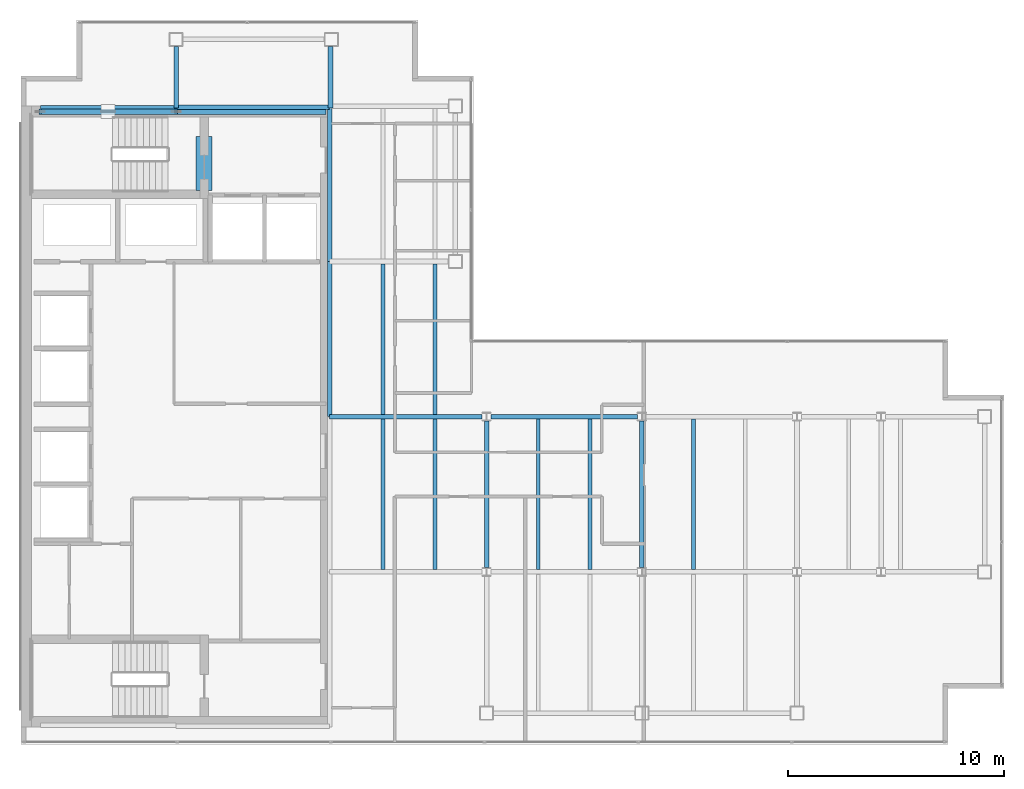
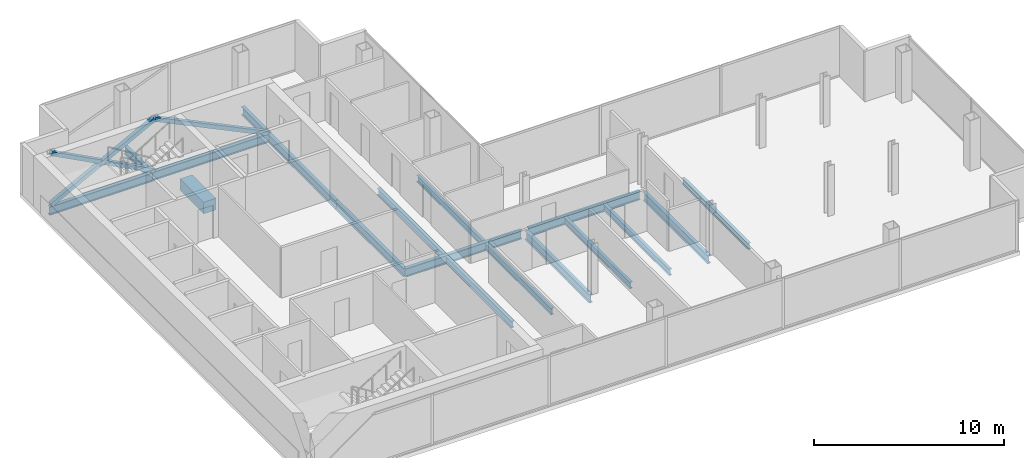
# One storey, part 7 of 23: 18 beams, 4 members.
"""IFC4 building model written with IfcOpenShell, lengths in metres."""

import ifcopenshell
import ifcopenshell.guid

model = None  # the IFC model being written
_history = None  # IfcOwnerHistory: only IFC2X3 demands one
_inside = {}  # id of a spatial element -> (the spatial element, [elements in it])
_under = {}  # id of a project, library or spatial element -> (it, [spatial elements below it])
_declared = {}  # id of a project -> (the project, [libraries it declares])
_typed = {}  # id of a type object -> (the type object, [elements of that type])
_made_of = {}  # id of a material, layer set ... -> (it, [elements and type objects made of it])


def new_model(schema):
    """Start an empty IFC model of exactly this schema.

    Asked for "IFC4X3", IfcOpenShell would pick the latest addendum, in which some entities
    have other attributes; the version numbers below select the first issue.
    IFC2X3 requires an IfcOwnerHistory on every rooted entity: one is made here for all.
    """
    global model, _history
    if schema == "IFC4X3":
        model = ifcopenshell.file(schema_version=(4, 3, 0, 0))
    else:
        model = ifcopenshell.file(schema=schema)
    _inside.clear()
    _under.clear()
    _declared.clear()
    _typed.clear()
    _made_of.clear()
    _history = None
    if model.schema == "IFC2X3":
        org = make("IfcOrganization", Name="unknown")
        user = make(
            "IfcPersonAndOrganization",
            ThePerson=make("IfcPerson", FamilyName="unknown"),
            TheOrganization=org,
        )
        app = make(
            "IfcApplication",
            ApplicationDeveloper=org,
            Version="unknown",
            ApplicationFullName="unknown",
            ApplicationIdentifier="unknown",
        )
        _history = make(
            "IfcOwnerHistory",
            OwningUser=user,
            OwningApplication=app,
            ChangeAction="ADDED",
            CreationDate=0,
        )
    return model


def make(cls, **values):
    """One entity of the class cls with the attributes given. An attribute that is None is left unset."""
    return model.create_entity(
        cls, **{name: value for name, value in values.items() if value is not None}
    )


def rooted(cls, **values):
    """An entity with a GlobalId (a new one), such as an element, a storey or a relation."""
    return make(cls, GlobalId=ifcopenshell.guid.new(), OwnerHistory=_history, **values)


def si_unit(unit_type, name, prefix=None):
    """IfcSIUnit, for example si_unit("LENGTHUNIT", "METRE", prefix="MILLI")."""
    return make("IfcSIUnit", UnitType=unit_type, Prefix=prefix, Name=name)


def assignment(units):
    """IfcUnitAssignment: the units of a project."""
    return None if units is None else make("IfcUnitAssignment", Units=units)


def point(xyz):
    """IfcCartesianPoint."""
    return None if xyz is None else make("IfcCartesianPoint", Coordinates=xyz)


def direction(xyz):
    """IfcDirection."""
    return None if xyz is None else make("IfcDirection", DirectionRatios=xyz)


def frame(location, z_axis=None, x_axis=None):
    """IfcAxis2Placement3D, a coordinate frame: its origin and axes. An axis left out is left unset."""
    return make(
        "IfcAxis2Placement3D",
        Location=point(location),
        Axis=direction(z_axis),
        RefDirection=direction(x_axis),
    )


def frame_2d(location, x_axis=None):
    """IfcAxis2Placement2D, a coordinate frame in the plane: its origin and x axis."""
    return make(
        "IfcAxis2Placement2D", Location=point(location), RefDirection=direction(x_axis)
    )


def origin():
    """The frame at (0, 0, 0) with its axes left unset."""
    return frame((0.0, 0.0, 0.0))


def origin_2d():
    """The frame at (0, 0) in the plane with its x axis left unset."""
    return frame_2d((0.0, 0.0))


def place(relative_to, where):
    """IfcLocalPlacement: puts the frame where relative to a parent placement (None: the world)."""
    return make(
        "IfcLocalPlacement", PlacementRelTo=relative_to, RelativePlacement=where
    )


def context(
    kind, dimensions, precision=None, world=None, true_north=None, identifier=None
):
    """IfcGeometricRepresentationContext, for example the 3D "Model" context."""
    return make(
        "IfcGeometricRepresentationContext",
        ContextIdentifier=identifier,
        ContextType=kind,
        CoordinateSpaceDimension=dimensions,
        Precision=precision,
        WorldCoordinateSystem=world,
        TrueNorth=true_north,
    )


def subcontext(parent, identifier, kind, view, scale=None):
    """IfcGeometricRepresentationSubContext, for example "Body" below "Model"."""
    return make(
        "IfcGeometricRepresentationSubContext",
        ContextIdentifier=identifier,
        ContextType=kind,
        ParentContext=parent,
        TargetScale=scale,
        TargetView=view,
    )


def project(units=None, contexts=None):
    """IfcProject with its units and contexts."""
    return rooted(
        "IfcProject",
        Name="project",
        RepresentationContexts=contexts,
        UnitsInContext=assignment(units),
    )


def spatial(cls, under=None, at=None, **own):
    """A site, building, storey or space (cls), placed at a placement, below another one or the project."""
    s = rooted(cls, ObjectPlacement=at, **own)
    if under is not None:
        _under.setdefault(under.id(), (under, []))[1].append(s)
    return s


def profile(cls, at=None, kind="AREA", **sizes):
    """A parametric profile (cls). Its sizes go by their IFC names, for example OverallWidth=200.0."""
    return make(cls, ProfileType=kind, Position=at, **sizes)


def rectangle(**sizes):
    """IfcRectangleProfileDef."""
    return profile("IfcRectangleProfileDef", **sizes)


def hollow_rectangle(**sizes):
    """IfcRectangleHollowProfileDef."""
    return profile("IfcRectangleHollowProfileDef", **sizes)


def i_section(**sizes):
    """IfcIShapeProfileDef."""
    return profile("IfcIShapeProfileDef", **sizes)


def extrude(swept, where, along, depth):
    """IfcExtrudedAreaSolid: the profile swept, set in the frame where, extruded along a direction by depth."""
    return make(
        "IfcExtrudedAreaSolid",
        SweptArea=swept,
        Position=where,
        ExtrudedDirection=direction(along),
        Depth=depth,
    )


def shape(context_of_items, identifier, shape_type, items):
    """IfcShapeRepresentation: the items that make up one representation, for example the "Body"."""
    return make(
        "IfcShapeRepresentation",
        ContextOfItems=context_of_items,
        RepresentationIdentifier=identifier,
        RepresentationType=shape_type,
        Items=items,
    )


def material(Name=None, Category=None):
    """IfcMaterial."""
    return make("IfcMaterial", Name=Name, Category=Category)


def material_profile(
    of_material, cross_section, Name=None, Category=None, Priority=None
):
    """IfcMaterialProfile: a cross section and its material."""
    return make(
        "IfcMaterialProfile",
        Name=Name,
        Material=of_material,
        Profile=cross_section,
        Priority=Priority,
        Category=Category,
    )


def profile_set(profiles, Name=None, composite=None):
    """IfcMaterialProfileSet."""
    return make(
        "IfcMaterialProfileSet",
        Name=Name,
        MaterialProfiles=profiles,
        CompositeProfile=composite,
    )


def made_of(thing, what):
    """Note that an element or type object is made of a material, layer set ...; save() writes the relation."""
    if what is not None:
        _made_of.setdefault(what.id(), (what, []))[1].append(thing)
    return thing


def type_object(cls, material=None, **own):
    """A type object (cls), such as IfcWallType, which elements share."""
    return made_of(rooted(cls, **own), material)


def element(
    cls,
    number,
    at=None,
    inside=None,
    cuts=None,
    type_object=None,
    material=None,
    context=None,
    identifier="Body",
    shape_type=None,
    held_by="IfcProductDefinitionShape",
    body=None,
    shapes=None,
    **own,
):
    """One element of the class cls, such as IfcWall. Its Tag is "e" and its number.

    at: its placement. inside: the storey or other place that contains it. cuts: it is an
    opening in that element (IfcRelVoidsElement). A single representation is given by context,
    identifier, shape_type and body (its items); several are given by shapes. held_by: the class
    of the entity that holds the representations. save() writes the other relations.
    """
    e = rooted(cls, Tag="e%d" % number, ObjectPlacement=at, **own)
    if body is not None:
        shapes = [shape(context, identifier, shape_type, body)]
    if shapes is not None:
        e.Representation = make(held_by, Representations=shapes)
    if inside is not None:
        _inside.setdefault(inside.id(), (inside, []))[1].append(e)
    if cuts is not None:
        rooted(
            "IfcRelVoidsElement", RelatingBuildingElement=cuts, RelatedOpeningElement=e
        )
    if type_object is not None:
        _typed.setdefault(type_object.id(), (type_object, []))[1].append(e)
    return made_of(e, material)


def aggregate(whole, parts):
    """IfcRelAggregates: a whole, such as a stair, and the parts it consists of."""
    return rooted("IfcRelAggregates", RelatingObject=whole, RelatedObjects=parts)


def save(model, path):
    """Write the relations noted so far, then the file.

    IfcRelAggregates (storeys below a building ...), IfcRelContainedInSpatialStructure (elements
    in a storey), IfcRelDefinesByType, IfcRelAssociatesMaterial and IfcRelDeclares: one each for
    every whole, place, type object, material and project.
    """
    for whole, parts in _under.values():
        aggregate(whole, parts)
    for where, things in _inside.values():
        rooted(
            "IfcRelContainedInSpatialStructure",
            RelatedElements=things,
            RelatingStructure=where,
        )
    for kind, things in _typed.values():
        rooted("IfcRelDefinesByType", RelatedObjects=things, RelatingType=kind)
    for what, things in _made_of.values():
        rooted("IfcRelAssociatesMaterial", RelatedObjects=things, RelatingMaterial=what)
    for by, libraries in _declared.values():
        rooted("IfcRelDeclares", RelatingContext=by, RelatedDefinitions=libraries)
    model.write(path)


model = new_model("IFC4")

# Units and contexts
model_context = context("Model", 3, precision=1e-05, world=origin(), true_north=direction((0.0, 1.0)))
body_context = subcontext(model_context, "Body", "Model", "MODEL_VIEW")
ifc_project = project(units=[si_unit("LENGTHUNIT", "METRE"), si_unit("AREAUNIT", "SQUARE_METRE"), si_unit("VOLUMEUNIT", "CUBIC_METRE"), si_unit("PLANEANGLEUNIT", "RADIAN"), si_unit("MASSUNIT", "GRAM", prefix="KILO")], contexts=[model_context])

# Site, building, storey
site_placement = place(None, origin())
site = spatial("IfcSite", under=ifc_project, at=site_placement, CompositionType="ELEMENT")
building_placement = place(site_placement, origin())
building = spatial("IfcBuilding", under=site, at=building_placement, Name="Cobrela Telecom Tower", CompositionType="ELEMENT")
storey_placement = place(building_placement, frame((0.0, 0.0, 269.14990234375)))
storey = spatial("IfcBuildingStorey", under=building, at=storey_placement, Name="L70", CompositionType="ELEMENT", Elevation=269.14990234375)

# Beams
ifc_material_1 = material(Name="Concrete C40/50", Category="concrete")
ifc_material_profile_1 = material_profile(ifc_material_1, rectangle(XDim=0.75, YDim=0.75, at=origin_2d()), Name="RC 750x750")
ifc_profile_set_1 = profile_set([ifc_material_profile_1], Name="Concrete C40/50")
beam_type_1 = type_object("IfcBeamType", Name="BM-COUP-RC", PredefinedType="LINTEL", material=ifc_profile_set_1)
beam_1_placement = place(storey_placement, frame((8.5, 32.10009765625, -0.60986328125), z_axis=(0.0, 1.0, 0.0), x_axis=(-1.0, 0.0, 0.0)))
element("IfcBeam", 1, at=beam_1_placement, inside=storey, type_object=beam_type_1, Name="L70 Core Coupling Lintel Beam", PredefinedType="LINTEL", context=body_context, shape_type="SweptSolid", body=[
    extrude(rectangle(XDim=0.75, YDim=0.75, at=origin_2d()), origin(), (0.0, 0.0, 1.0), 2.5),
])
ifc_material_2 = material(Name="Steel ASTM A992 Grade 50", Category="steel")
ifc_material_profile_2 = material_profile(ifc_material_2, i_section(OverallWidth=0.212890625, OverallDepth=0.549072265625, WebThickness=0.0146484375, FlangeThickness=0.023681640625, FilletRadius=0.013916015625, at=origin_2d()), Name="W21X93")
ifc_profile_set_2 = profile_set([ifc_material_profile_2], Name="Steel ASTM A992 Grade 50")
beam_type_2 = type_object("IfcBeamType", Name="BM-GIRD-08", PredefinedType="USERDEFINED", material=ifc_profile_set_2)
beam_2_placement = place(storey_placement, frame((14.324951171875, 21.60009765625, -0.534423828125), z_axis=(1.0, 0.0, 0.0), x_axis=(0.0, 1.0, 0.0)))
element("IfcBeam", 2, at=beam_2_placement, inside=storey, type_object=beam_type_2, Name="L70 Primary Girder X10", ObjectType="GIRDER", PredefinedType="USERDEFINED", context=body_context, shape_type="SweptSolid", body=[
    extrude(i_section(OverallWidth=0.212890625, OverallDepth=0.549072265625, WebThickness=0.0146484375, FlangeThickness=0.023681640625, FilletRadius=0.013916015625, at=origin_2d()), origin(), (0.0, 0.0, 1.0), 7.070556640625),
])
beam_3_placement = place(storey_placement, frame((21.804443359375, 21.60009765625, -0.534423828125), z_axis=(1.0, 0.0, 0.0), x_axis=(0.0, 1.0, 0.0)))
element("IfcBeam", 3, at=beam_3_placement, inside=storey, type_object=beam_type_2, Name="L70 Primary Girder X11", ObjectType="GIRDER", PredefinedType="USERDEFINED", context=body_context, shape_type="SweptSolid", body=[
    extrude(i_section(OverallWidth=0.212890625, OverallDepth=0.549072265625, WebThickness=0.0146484375, FlangeThickness=0.023681640625, FilletRadius=0.013916015625, at=origin_2d()), origin(), (0.0, 0.0, 1.0), 6.791015625),
])
beam_4_placement = place(storey_placement, frame((0.905029296875, 35.919921875, -0.534423828125), z_axis=(1.0, 0.0, 0.0), x_axis=(0.0, 1.0, 0.0)))
element("IfcBeam", 4, at=beam_4_placement, inside=storey, type_object=beam_type_2, Name="L70 Primary Girder X16", ObjectType="GIRDER", PredefinedType="USERDEFINED", context=body_context, shape_type="SweptSolid", body=[
    extrude(i_section(OverallWidth=0.212890625, OverallDepth=0.549072265625, WebThickness=0.0146484375, FlangeThickness=0.023681640625, FilletRadius=0.013916015625, at=origin_2d()), origin(), (0.0, 0.0, 1.0), 6.2900390625),
])
beam_5_placement = place(storey_placement, frame((7.205078125, 35.9599609375, -0.534423828125), z_axis=(1.0, 0.0, 0.0), x_axis=(0.0, 1.0, 0.0)))
element("IfcBeam", 5, at=beam_5_placement, inside=storey, type_object=beam_type_2, Name="L70 Primary Girder X17", ObjectType="GIRDER", PredefinedType="USERDEFINED", context=body_context, shape_type="SweptSolid", body=[
    extrude(i_section(OverallWidth=0.212890625, OverallDepth=0.549072265625, WebThickness=0.0146484375, FlangeThickness=0.023681640625, FilletRadius=0.013916015625, at=origin_2d()), origin(), (0.0, 0.0, 1.0), 7.10986328125),
])
beam_6_placement = place(storey_placement, frame((7.199951171875, 35.925048828125, -0.534423828125), z_axis=(0.0, 1.0, 0.0), x_axis=(-1.0, 0.0, 0.0)))
element("IfcBeam", 6, at=beam_6_placement, inside=storey, type_object=beam_type_2, Name="L70 Primary Girder Y20", ObjectType="GIRDER", PredefinedType="USERDEFINED", context=body_context, shape_type="SweptSolid", body=[
    extrude(i_section(OverallWidth=0.212890625, OverallDepth=0.549072265625, WebThickness=0.0146484375, FlangeThickness=0.023681640625, FilletRadius=0.013916015625, at=origin_2d()), origin(), (0.0, 0.0, 1.0), 2.844970703125),
])
beam_7_placement = place(storey_placement, frame((14.320068359375, 21.60498046875, -0.534423828125), z_axis=(0.0, 1.0, 0.0), x_axis=(-1.0, 0.0, 0.0)))
element("IfcBeam", 7, at=beam_7_placement, inside=storey, type_object=beam_type_2, Name="L70 Primary Girder Y23", ObjectType="GIRDER", PredefinedType="USERDEFINED", context=body_context, shape_type="SweptSolid", body=[
    extrude(i_section(OverallWidth=0.212890625, OverallDepth=0.549072265625, WebThickness=0.0146484375, FlangeThickness=0.023681640625, FilletRadius=0.013916015625, at=origin_2d()), origin(), (0.0, 0.0, 1.0), 7.18994140625),
])
beam_8_placement = place(storey_placement, frame((14.320068359375, 28.804931640625, -0.534423828125), z_axis=(0.0, 1.0, 0.0), x_axis=(-1.0, 0.0, 0.0)))
element("IfcBeam", 8, at=beam_8_placement, inside=storey, type_object=beam_type_2, Name="L70 Primary Girder Y24", ObjectType="GIRDER", PredefinedType="USERDEFINED", context=body_context, shape_type="SweptSolid", body=[
    extrude(i_section(OverallWidth=0.212890625, OverallDepth=0.549072265625, WebThickness=0.0146484375, FlangeThickness=0.023681640625, FilletRadius=0.013916015625, at=origin_2d()), origin(), (0.0, 0.0, 1.0), 7.110107421875),
])
beam_9_placement = place(storey_placement, frame((14.360107421875, 35.925048828125, -0.534423828125), z_axis=(0.0, 1.0, 0.0), x_axis=(-1.0, 0.0, 0.0)))
element("IfcBeam", 9, at=beam_9_placement, inside=storey, type_object=beam_type_2, Name="L70 Primary Girder Y25", ObjectType="GIRDER", PredefinedType="USERDEFINED", context=body_context, shape_type="SweptSolid", body=[
    extrude(i_section(OverallWidth=0.212890625, OverallDepth=0.549072265625, WebThickness=0.0146484375, FlangeThickness=0.023681640625, FilletRadius=0.013916015625, at=origin_2d()), origin(), (0.0, 0.0, 1.0), 2.844970703125),
])
for number, where, z_axis, x_axis, name in (
    (10, (21.60009765625, 14.6044921875, -0.534423828125), (0.0, 1.0, 0.0), (-1.0, 0.0, 0.0), "L70 Primary Girder Y28"),
    (11, (28.800048828125, 14.6044921875, -0.534423828125), (0.0, 1.0, 0.0), (-1.0, 0.0, 0.0), "L70 Primary Girder Y30"),
):
    element("IfcBeam", number, at=place(storey_placement, frame(where, z_axis=z_axis, x_axis=x_axis)), inside=storey, type_object=beam_type_2, Name=name, ObjectType="GIRDER", PredefinedType="USERDEFINED", context=body_context, shape_type="SweptSolid", body=[
        extrude(i_section(OverallWidth=0.212890625, OverallDepth=0.549072265625, WebThickness=0.0146484375, FlangeThickness=0.023681640625, FilletRadius=0.013916015625, at=origin_2d()), origin(), (0.0, 0.0, 1.0), 6.791015625),
    ])
ifc_material_profile_3 = material_profile(ifc_material_2, i_section(OverallWidth=0.179931640625, OverallDepth=0.4169921875, WebThickness=0.010986328125, FlangeThickness=0.01806640625, FilletRadius=0.011962890625, at=origin_2d()), Name="W16X57")
ifc_profile_set_3 = profile_set([ifc_material_profile_3], Name="Steel ASTM A992 Grade 50")
beam_type_3 = type_object("IfcBeamType", Name="BM-JOIST-04", PredefinedType="JOIST", material=ifc_profile_set_3)
for number, where, z_axis, x_axis, name in (
    (12, (16.800048828125, 14.511474609375, -0.468505859375), (0.0, 1.0, 0.0), (-1.0, 0.0, 0.0), "L70 Secondary Composite Floor Beam J01"),
    (13, (16.800048828125, 21.71142578125, -0.468505859375), (0.0, 1.0, 0.0), (-1.0, 0.0, 0.0), "L70 Secondary Composite Floor Beam J02"),
    (14, (19.199951171875, 14.511474609375, -0.468505859375), (0.0, 1.0, 0.0), (-1.0, 0.0, 0.0), "L70 Secondary Composite Floor Beam J04"),
    (15, (19.199951171875, 21.71142578125, -0.468505859375), (0.0, 1.0, 0.0), (-1.0, 0.0, 0.0), "L70 Secondary Composite Floor Beam J05"),
    (16, (24.0, 14.511474609375, -0.468505859375), (0.0, 1.0, 0.0), (-1.0, 0.0, 0.0), "L70 Secondary Composite Floor Beam J08"),
    (17, (26.39990234375, 14.511474609375, -0.468505859375), (0.0, 1.0, 0.0), (-1.0, 0.0, 0.0), "L70 Secondary Composite Floor Beam J10"),
    (18, (31.199951171875, 14.511474609375, -0.468505859375), (0.0, 1.0, 0.0), (-1.0, 0.0, 0.0), "L70 Secondary Composite Floor Beam J12"),
):
    element("IfcBeam", number, at=place(storey_placement, frame(where, z_axis=z_axis, x_axis=x_axis)), inside=storey, type_object=beam_type_3, Name=name, PredefinedType="JOIST", context=body_context, shape_type="SweptSolid", body=[
        extrude(i_section(OverallWidth=0.179931640625, OverallDepth=0.4169921875, WebThickness=0.010986328125, FlangeThickness=0.01806640625, FilletRadius=0.011962890625, at=origin_2d()), origin(), (0.0, 0.0, 1.0), 6.97705078125),
    ])

# Members
ifc_material_3 = material(Name="Steel ASTM A572 Grade 50", Category="steel")
ifc_material_profile_4 = material_profile(ifc_material_3, hollow_rectangle(XDim=0.25, YDim=0.25, WallThickness=0.013916015625, at=origin_2d()), Name="HSS 250x250x14")
ifc_profile_set_4 = profile_set([ifc_material_profile_4], Name="Steel ASTM A572 Grade 50")
member_type = type_object("IfcMemberType", Name="MBR-EXO-04", PredefinedType="BRACE", material=ifc_profile_set_4)
member_1_placement = place(storey_placement, frame((0.89990234375, 35.75, -0.039794921875), z_axis=(0.884686085315, 0.0, 0.466187226821), x_axis=(0.0, 1.0, 0.0)))
element("IfcMember", 19, at=member_1_placement, inside=storey, type_object=member_type, Name="L70 Core Flange Steel X-Brace Continuous A", PredefinedType="BRACE", context=body_context, shape_type="SweptSolid", body=[
    extrude(hollow_rectangle(XDim=0.25, YDim=0.25, WallThickness=0.013916015625, at=origin_2d()), origin(), (0.0, 0.0, 1.0), 7.121337890625),
])
member_2_placement = place(storey_placement, frame((7.199951171875, 35.75, -0.039794921875), z_axis=(-0.884702916743, 0.0, 0.466155284328), x_axis=(0.0, -1.0, 0.0)))
element("IfcMember", 20, at=member_2_placement, inside=storey, type_object=member_type, Name="L70 Core Flange Steel X-Brace Split B1", PredefinedType="BRACE", context=body_context, shape_type="SweptSolid", body=[
    extrude(hollow_rectangle(XDim=0.25, YDim=0.25, WallThickness=0.013916015625, at=origin_2d()), origin(), (0.0, 0.0, 1.0), 3.42041015625),
])
member_3_placement = place(storey_placement, frame((3.926025390625, 35.75, 1.685302734375), z_axis=(-0.884673479945, 0.0, 0.466211147317), x_axis=(0.0, -1.0, 0.0)))
element("IfcMember", 21, at=member_3_placement, inside=storey, type_object=member_type, Name="L70 Core Flange Steel X-Brace Split B2", PredefinedType="BRACE", context=body_context, shape_type="SweptSolid", body=[
    extrude(hollow_rectangle(XDim=0.25, YDim=0.25, WallThickness=0.013916015625, at=origin_2d()), origin(), (0.0, 0.0, 1.0), 3.420654296875),
])
member_4_placement = place(storey_placement, frame((14.10009765625, 35.75, -0.039794921875), z_axis=(-0.901127639633, 0.0, 0.433553891793), x_axis=(0.0, -1.0, 0.0)))
element("IfcMember", 22, at=member_4_placement, inside=storey, type_object=member_type, Name="L70 Core Flange Steel Brace N2", PredefinedType="BRACE", context=body_context, shape_type="SweptSolid", body=[
    extrude(hollow_rectangle(XDim=0.25, YDim=0.25, WallThickness=0.013916015625, at=origin_2d()), origin(), (0.0, 0.0, 1.0), 7.6572265625),
])

save(model, "model.ifc")
